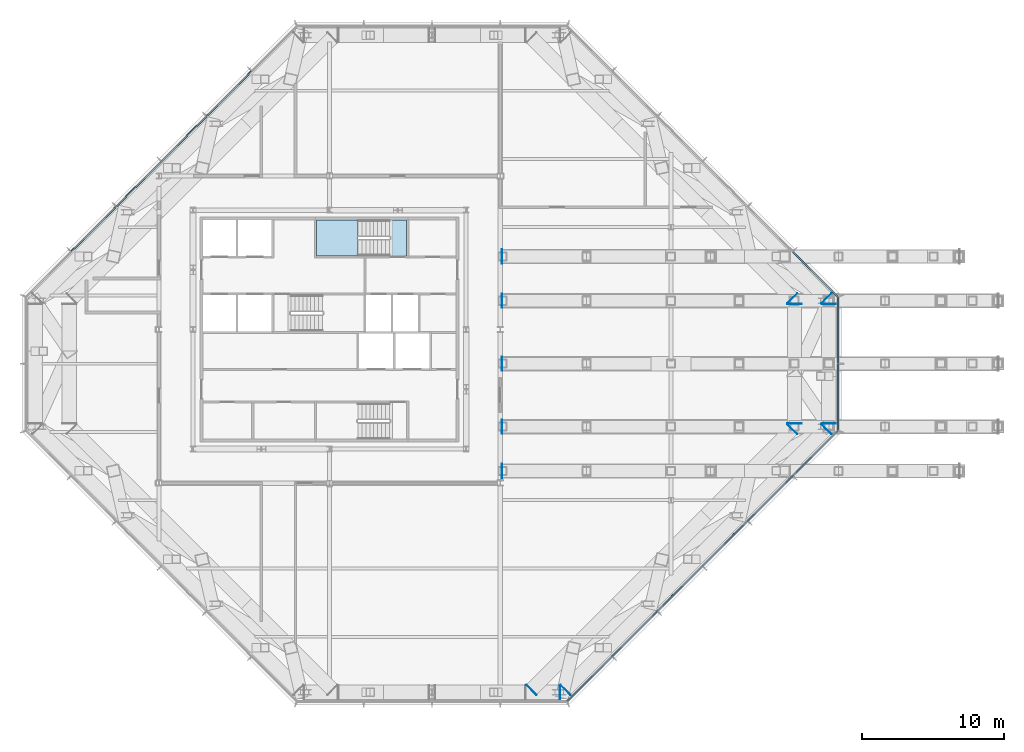
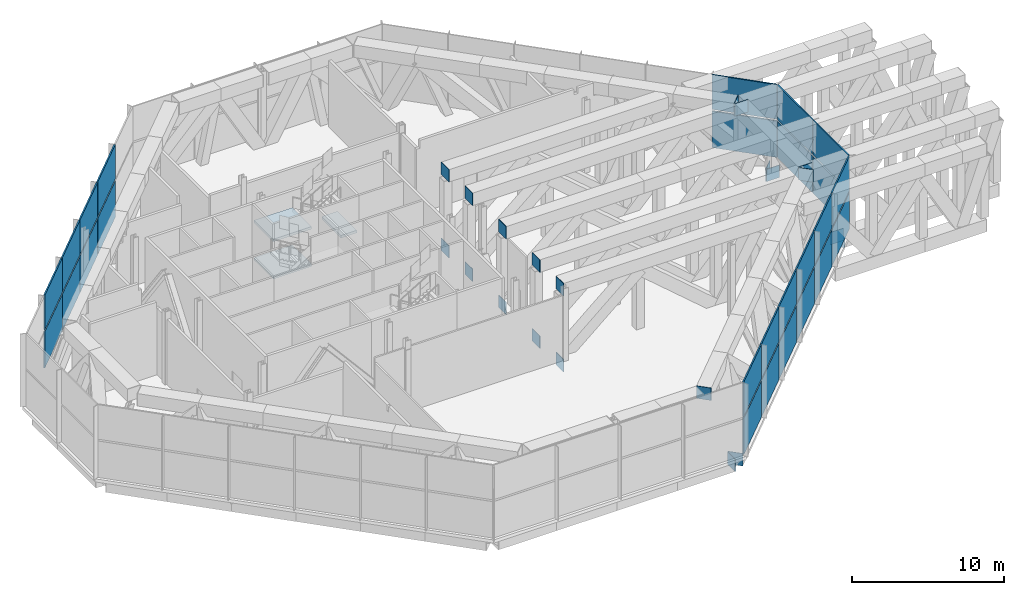
# One storey, part 12 of 18: 47 plates, 3 slabs, 5 elements without a shape of their own.
"""IFC4 building model written with IfcOpenShell, lengths in metres."""

from ifc_helpers import new_model, si_unit, direction, frame, origin, origin_2d, place, context, subcontext, project, spatial, polyline, rectangle, outline, extrude, material, layer, layer_set, material_profile, profile_set, type_object, element, aggregate, save


model = new_model("IFC4")

# Units and contexts
model_context = context("Model", 3, precision=1e-05, world=origin(), true_north=direction((0.0, 1.0)))
body_context = subcontext(model_context, "Body", "Model", "MODEL_VIEW")
ifc_project = project(units=[si_unit("LENGTHUNIT", "METRE"), si_unit("AREAUNIT", "SQUARE_METRE"), si_unit("VOLUMEUNIT", "CUBIC_METRE"), si_unit("PLANEANGLEUNIT", "RADIAN"), si_unit("MASSUNIT", "GRAM", prefix="KILO")], contexts=[model_context])

# Site, building, storey
site_placement = place(None, origin())
site = spatial("IfcSite", under=ifc_project, at=site_placement, CompositionType="ELEMENT")
building_placement = place(site_placement, origin())
building = spatial("IfcBuilding", under=site, at=building_placement, Name="Cairn Pilgrim Tower", CompositionType="ELEMENT")
storey_placement = place(building_placement, frame((0.0, 0.0, 261.0)))
storey = spatial("IfcBuildingStorey", under=building, at=storey_placement, Name="L67", CompositionType="ELEMENT", Elevation=261.0)

# Plates
ifc_material_1 = material(Name="Structural steel S460M", Category="steel")
ifc_material_profile = material_profile(ifc_material_1, rectangle(XDim=1.0, YDim=1.0, at=origin_2d()), Name="END PLATE BOX 1000x1000x60")
ifc_profile_set = profile_set([ifc_material_profile], Name="Structural steel S460M")
plate_type_1 = type_object("IfcPlateType", Name="END PLATE BOX 1000x1000x60", PredefinedType="SHEET", material=ifc_profile_set)
for number, where, z_axis, x_axis, name in (
    (1, (23.3701171875, -23.10009765625, -0.75), (1.0, 0.0, 0.0), (0.0, 1.0, 0.0), "EP-BT67-S-BC4-B"),
    (2, (23.80908203125, -22.918212890625, -0.75), (-0.707106781187, -0.707106781187, 0.0), (0.707106781187, -0.707106781187, 0.0), "EP-BT67-SE-BC1-A"),
    (3, (21.408935546875, -22.918212890625, 5.35009765625), (-0.707106781187, -0.707106781187, 0.0), (0.707106781187, -0.707106781187, 0.0), "EP-BT67-SE-TC1-A"),
):
    element("IfcPlate", number, at=place(storey_placement, frame(where, z_axis=z_axis, x_axis=x_axis)), inside=storey, type_object=plate_type_1, Name=name, PredefinedType="SHEET", context=body_context, shape_type="SweptSolid", body=[
        extrude(rectangle(XDim=1.0, YDim=1.0, at=origin_2d()), origin(), (0.0, 0.0, 1.0), 0.0400390625),
    ])
for number, where, z_axis, x_axis, name in (
    (4, (42.1181640625, -4.60888671875, -0.75), (0.710161195225, 0.704039115956, 0.0), (-0.704039115956, 0.710161195225, 0.0), "EP-BT67-SE-BC6-B"),
    (5, (39.71826171875, -4.60888671875, 5.35009765625), (0.710161195225, 0.704039115956, 0.0), (-0.704039115956, 0.710161195225, 0.0), "EP-BT67-SE-TC6-B"),
):
    element("IfcPlate", number, at=place(storey_placement, frame(where, z_axis=z_axis, x_axis=x_axis)), inside=storey, type_object=plate_type_1, Name=name, PredefinedType="SHEET", context=body_context, shape_type="SweptSolid", body=[
        extrude(rectangle(XDim=1.0, YDim=1.0, at=origin_2d()), origin(), (0.0, 0.0, 1.0), 0.039794921875),
    ])
for number, where, z_axis, x_axis, name in (
    (6, (42.300048828125, -4.170166015625, -0.75), (0.0, -1.0, 0.0), (1.0, 0.0, 0.0), "EP-BT67-E-BC1-A"),
    (7, (39.89990234375, -4.170166015625, 5.35009765625), (0.0, -1.0, 0.0), (1.0, 0.0, 0.0), "EP-BT67-E-TC1-A"),
    (8, (42.300048828125, 4.170166015625, -0.75), (0.0, 1.0, 0.0), (-1.0, 0.0, 0.0), "EP-BT67-E-BC2-B"),
    (9, (39.89990234375, 4.170166015625, 5.35009765625), (0.0, 1.0, 0.0), (-1.0, 0.0, 0.0), "EP-BT67-E-TC2-B"),
):
    element("IfcPlate", number, at=place(storey_placement, frame(where, z_axis=z_axis, x_axis=x_axis)), inside=storey, type_object=plate_type_1, Name=name, PredefinedType="SHEET", context=body_context, shape_type="SweptSolid", body=[
        extrude(rectangle(XDim=1.0, YDim=1.0, at=origin_2d()), origin(), (0.0, 0.0, 1.0), 0.0400390625),
    ])
for number, where, z_axis, x_axis, name in (
    (10, (42.1181640625, 4.60888671875, -0.75), (0.710161195225, -0.704039115956, 0.0), (0.704039115956, 0.710161195225, 0.0), "EP-BT67-NE-BC1-A"),
    (11, (39.71826171875, 4.60888671875, 5.35009765625), (0.710161195225, -0.704039115956, 0.0), (0.704039115956, 0.710161195225, 0.0), "EP-BT67-NE-TC1-A"),
):
    element("IfcPlate", number, at=place(storey_placement, frame(where, z_axis=z_axis, x_axis=x_axis)), inside=storey, type_object=plate_type_1, Name=name, PredefinedType="SHEET", context=body_context, shape_type="SweptSolid", body=[
        extrude(rectangle(XDim=1.0, YDim=1.0, at=origin_2d()), origin(), (0.0, 0.0, 1.0), 0.039794921875),
    ])
for number, where, z_axis, x_axis, name in (
    (12, (19.35009765625, -7.539306640625, -0.75), (-1.0, 0.0, 0.0), (0.0, -1.0, 0.0), "EP-SPS75-BC1-A"),
    (13, (19.35009765625, -7.539306640625, 5.35009765625), (-1.0, 0.0, 0.0), (0.0, -1.0, 0.0), "EP-SPS75-TC1-A"),
    (14, (19.35009765625, -4.42724609375, -0.75), (-1.0, 0.0, 0.0), (0.0, -1.0, 0.0), "EP-SPS-BC1-A"),
    (15, (19.35009765625, -4.42724609375, 5.35009765625), (-1.0, 0.0, 0.0), (0.0, -1.0, 0.0), "EP-SPS-TC1-A"),
    (16, (19.35009765625, 0.0, -0.75), (-1.0, 0.0, 0.0), (0.0, -1.0, 0.0), "EP-SPC-BC1-A"),
    (17, (19.35009765625, 0.0, 5.35009765625), (-1.0, 0.0, 0.0), (0.0, -1.0, 0.0), "EP-SPC-TC1-A"),
    (18, (19.35009765625, 4.42724609375, -0.75), (-1.0, 0.0, 0.0), (0.0, -1.0, 0.0), "EP-SPN-BC1-A"),
    (19, (19.35009765625, 4.42724609375, 5.35009765625), (-1.0, 0.0, 0.0), (0.0, -1.0, 0.0), "EP-SPN-TC1-A"),
    (20, (19.35009765625, 7.539306640625, -0.75), (-1.0, 0.0, 0.0), (0.0, -1.0, 0.0), "EP-SPN75-BC1-A"),
    (21, (19.35009765625, 7.539306640625, 5.35009765625), (-1.0, 0.0, 0.0), (0.0, -1.0, 0.0), "EP-SPN75-TC1-A"),
):
    element("IfcPlate", number, at=place(storey_placement, frame(where, z_axis=z_axis, x_axis=x_axis)), inside=storey, type_object=plate_type_1, Name=name, PredefinedType="SHEET", context=body_context, shape_type="SweptSolid", body=[
        extrude(rectangle(XDim=1.0, YDim=1.0, at=origin_2d()), origin(), (0.0, 0.0, 1.0), 0.0400390625),
    ])

# Curtain wall, plates
ifc_material_2 = material(Name="Aluminium alloy 6063-T6 bronze anodised with Bronze tinted laminated low-E glass 8+16+8.8", Category="aluminium")
curtain_wall_type = type_object("IfcCurtainWallType", Name="PLANT LOUVRE CURTAIN WALL", PredefinedType="NOTDEFINED", material=ifc_material_2)
curtain_wall_1_placement = place(storey_placement, origin())
curtain_wall_1 = element("IfcCurtainWall", 22, at=curtain_wall_1_placement, inside=storey, type_object=curtain_wall_type, Name="Plant Louvre Curtain Wall SE", PredefinedType="NOTDEFINED")
ifc_material_3 = material(Name="Bronze anodised aluminium louvre blades", Category="aluminium")
ifc_layer_1 = layer(ifc_material_3, 0.10009765625)
ifc_layer_set_1 = layer_set([ifc_layer_1], Name="LOUVRE PANEL 4421x2775")
plate_type_2 = type_object("IfcPlateType", Name="LOUVRE PANEL 4421x2775", PredefinedType="CURTAIN_PANEL", material=ifc_layer_set_1)
plate_1_placement = place(storey_placement, frame((25.48779296875, -22.15869140625, 3.074951171875), z_axis=(0.0, 0.0, 1.0), x_axis=(0.707106781187, 0.707106781187, 0.0)))
plate_1 = element("IfcPlate", 23, at=plate_1_placement, type_object=plate_type_2, Name="Louvre Panel SE1-2", PredefinedType="CURTAIN_PANEL", context=body_context, shape_type="SweptSolid", body=[
    extrude(rectangle(XDim=4.4208984375, YDim=0.10009765625, at=origin_2d()), origin(), (0.0, 0.0, 1.0), 2.77490234375),
])
plate_2_placement = place(storey_placement, frame((41.358642578125, -6.287841796875, 3.074951171875), z_axis=(0.0, 0.0, 1.0), x_axis=(0.707106781187, 0.707106781187, 0.0)))
plate_2 = element("IfcPlate", 24, at=plate_2_placement, type_object=plate_type_2, Name="Louvre Panel SE6-2", PredefinedType="CURTAIN_PANEL", context=body_context, shape_type="SweptSolid", body=[
    extrude(rectangle(XDim=4.4208984375, YDim=0.10009765625, at=origin_2d()), origin(), (0.0, 0.0, 1.0), 2.77490234375),
])

# Curtain wall, plate
curtain_wall_2_placement = place(storey_placement, origin())
curtain_wall_2 = element("IfcCurtainWall", 25, at=curtain_wall_2_placement, inside=storey, type_object=curtain_wall_type, Name="Plant Louvre Curtain Wall NE", PredefinedType="NOTDEFINED")
plate_3_placement = place(storey_placement, frame((41.358642578125, 6.287841796875, 3.074951171875), z_axis=(0.0, 0.0, 1.0), x_axis=(-0.707106781187, 0.707106781187, 0.0)))
plate_3 = element("IfcPlate", 26, at=plate_3_placement, type_object=plate_type_2, Name="Louvre Panel NE1-2", PredefinedType="CURTAIN_PANEL", context=body_context, shape_type="SweptSolid", body=[
    extrude(rectangle(XDim=4.4208984375, YDim=0.10009765625, at=origin_2d()), origin(), (0.0, 0.0, 1.0), 2.77490234375),
])

# Plate
ifc_layer_2 = layer(ifc_material_3, 0.10009765625)
ifc_layer_set_2 = layer_set([ifc_layer_2], Name="LOUVRE PANEL 4421x2925")
plate_type_3 = type_object("IfcPlateType", Name="LOUVRE PANEL 4421x2925", PredefinedType="CURTAIN_PANEL", material=ifc_layer_set_2)
plate_4_placement = place(storey_placement, frame((25.48779296875, -22.15869140625, 0.0), z_axis=(0.0, 0.0, 1.0), x_axis=(0.707106781187, 0.707106781187, 0.0)))
plate_4 = element("IfcPlate", 27, at=plate_4_placement, type_object=plate_type_3, Name="Louvre Panel SE1-1", PredefinedType="CURTAIN_PANEL", context=body_context, shape_type="SweptSolid", body=[
    extrude(rectangle(XDim=4.4208984375, YDim=0.10009765625, at=origin_2d()), origin(), (0.0, 0.0, 1.0), 2.925048828125),
])

plate_5_placement = place(storey_placement, frame((41.358642578125, -6.287841796875, 0.0), z_axis=(0.0, 0.0, 1.0), x_axis=(0.707106781187, 0.707106781187, 0.0)))
plate_5 = element("IfcPlate", 28, at=plate_5_placement, type_object=plate_type_3, Name="Louvre Panel SE6-1", PredefinedType="CURTAIN_PANEL", context=body_context, shape_type="SweptSolid", body=[
    extrude(rectangle(XDim=4.4208984375, YDim=0.10009765625, at=origin_2d()), origin(), (0.0, 0.0, 1.0), 2.925048828125),
])

plate_6_placement = place(storey_placement, frame((41.358642578125, 6.287841796875, 0.0), z_axis=(0.0, 0.0, 1.0), x_axis=(-0.707106781187, 0.707106781187, 0.0)))
plate_6 = element("IfcPlate", 29, at=plate_6_placement, type_object=plate_type_3, Name="Louvre Panel NE1-1", PredefinedType="CURTAIN_PANEL", context=body_context, shape_type="SweptSolid", body=[
    extrude(rectangle(XDim=4.4208984375, YDim=0.10009765625, at=origin_2d()), origin(), (0.0, 0.0, 1.0), 2.925048828125),
])

aggregate(curtain_wall_2, [plate_6, plate_3])

ifc_layer_3 = layer(ifc_material_3, 0.10009765625)
ifc_layer_set_3 = layer_set([ifc_layer_3], Name="LOUVRE PANEL 4431x2775")
plate_type_4 = type_object("IfcPlateType", Name="LOUVRE PANEL 4431x2775", PredefinedType="CURTAIN_PANEL", material=ifc_layer_set_3)
plate_7_placement = place(storey_placement, frame((28.659912109375, -18.986572265625, 3.074951171875), z_axis=(0.0, 0.0, 1.0), x_axis=(0.707106781187, 0.707106781187, 0.0)))
plate_7 = element("IfcPlate", 30, at=plate_7_placement, type_object=plate_type_4, Name="Louvre Panel SE2-2", PredefinedType="CURTAIN_PANEL", context=body_context, shape_type="SweptSolid", body=[
    extrude(rectangle(XDim=4.430908203125, YDim=0.10009765625, at=origin_2d()), origin(), (0.0, 0.0, 1.0), 2.77490234375),
])

plate_8_placement = place(storey_placement, frame((31.83544921875, -15.81103515625, 3.074951171875), z_axis=(0.0, 0.0, 1.0), x_axis=(0.707106781187, 0.707106781187, 0.0)))
plate_8 = element("IfcPlate", 31, at=plate_8_placement, type_object=plate_type_4, Name="Louvre Panel SE3-2", PredefinedType="CURTAIN_PANEL", context=body_context, shape_type="SweptSolid", body=[
    extrude(rectangle(XDim=4.430908203125, YDim=0.10009765625, at=origin_2d()), origin(), (0.0, 0.0, 1.0), 2.77490234375),
])

plate_9_placement = place(storey_placement, frame((35.010986328125, -12.635498046875, 3.074951171875), z_axis=(0.0, 0.0, 1.0), x_axis=(0.707106781187, 0.707106781187, 0.0)))
plate_9 = element("IfcPlate", 32, at=plate_9_placement, type_object=plate_type_4, Name="Louvre Panel SE4-2", PredefinedType="CURTAIN_PANEL", context=body_context, shape_type="SweptSolid", body=[
    extrude(rectangle(XDim=4.430908203125, YDim=0.10009765625, at=origin_2d()), origin(), (0.0, 0.0, 1.0), 2.77490234375),
])

plate_10_placement = place(storey_placement, frame((38.1865234375, -9.459716796875, 3.074951171875), z_axis=(0.0, 0.0, 1.0), x_axis=(0.707106781187, 0.707106781187, 0.0)))
plate_10 = element("IfcPlate", 33, at=plate_10_placement, type_object=plate_type_4, Name="Louvre Panel SE5-2", PredefinedType="CURTAIN_PANEL", context=body_context, shape_type="SweptSolid", body=[
    extrude(rectangle(XDim=4.430908203125, YDim=0.10009765625, at=origin_2d()), origin(), (0.0, 0.0, 1.0), 2.77490234375),
])

# Curtain wall, plates
curtain_wall_3_placement = place(storey_placement, origin())
curtain_wall_3 = element("IfcCurtainWall", 34, at=curtain_wall_3_placement, inside=storey, type_object=curtain_wall_type, Name="Plant Louvre Curtain Wall NW", PredefinedType="NOTDEFINED")
plate_11_placement = place(storey_placement, frame((0.14013671875, 18.986572265625, 3.074951171875), z_axis=(0.0, 0.0, 1.0), x_axis=(-0.707106781187, -0.707106781187, 0.0)))
plate_11 = element("IfcPlate", 35, at=plate_11_placement, type_object=plate_type_4, Name="Louvre Panel NW2-2", PredefinedType="CURTAIN_PANEL", context=body_context, shape_type="SweptSolid", body=[
    extrude(rectangle(XDim=4.430908203125, YDim=0.10009765625, at=origin_2d()), origin(), (0.0, 0.0, 1.0), 2.77490234375),
])
plate_12_placement = place(storey_placement, frame((-3.035400390625, 15.81103515625, 3.074951171875), z_axis=(0.0, 0.0, 1.0), x_axis=(-0.707106781187, -0.707106781187, 0.0)))
plate_12 = element("IfcPlate", 36, at=plate_12_placement, type_object=plate_type_4, Name="Louvre Panel NW3-2", PredefinedType="CURTAIN_PANEL", context=body_context, shape_type="SweptSolid", body=[
    extrude(rectangle(XDim=4.430908203125, YDim=0.10009765625, at=origin_2d()), origin(), (0.0, 0.0, 1.0), 2.77490234375),
])
plate_13_placement = place(storey_placement, frame((-6.2109375, 12.635498046875, 3.074951171875), z_axis=(0.0, 0.0, 1.0), x_axis=(-0.707106781187, -0.707106781187, 0.0)))
plate_13 = element("IfcPlate", 37, at=plate_13_placement, type_object=plate_type_4, Name="Louvre Panel NW4-2", PredefinedType="CURTAIN_PANEL", context=body_context, shape_type="SweptSolid", body=[
    extrude(rectangle(XDim=4.430908203125, YDim=0.10009765625, at=origin_2d()), origin(), (0.0, 0.0, 1.0), 2.77490234375),
])
plate_14_placement = place(storey_placement, frame((-9.38671875, 9.459716796875, 3.074951171875), z_axis=(0.0, 0.0, 1.0), x_axis=(-0.707106781187, -0.707106781187, 0.0)))
plate_14 = element("IfcPlate", 38, at=plate_14_placement, type_object=plate_type_4, Name="Louvre Panel NW5-2", PredefinedType="CURTAIN_PANEL", context=body_context, shape_type="SweptSolid", body=[
    extrude(rectangle(XDim=4.430908203125, YDim=0.10009765625, at=origin_2d()), origin(), (0.0, 0.0, 1.0), 2.77490234375),
])

# Plate
ifc_layer_4 = layer(ifc_material_3, 0.10009765625)
ifc_layer_set_4 = layer_set([ifc_layer_4], Name="LOUVRE PANEL 4431x2925")
plate_type_5 = type_object("IfcPlateType", Name="LOUVRE PANEL 4431x2925", PredefinedType="CURTAIN_PANEL", material=ifc_layer_set_4)
plate_15_placement = place(storey_placement, frame((28.659912109375, -18.986572265625, 0.0), z_axis=(0.0, 0.0, 1.0), x_axis=(0.707106781187, 0.707106781187, 0.0)))
plate_15 = element("IfcPlate", 39, at=plate_15_placement, type_object=plate_type_5, Name="Louvre Panel SE2-1", PredefinedType="CURTAIN_PANEL", context=body_context, shape_type="SweptSolid", body=[
    extrude(rectangle(XDim=4.430908203125, YDim=0.10009765625, at=origin_2d()), origin(), (0.0, 0.0, 1.0), 2.925048828125),
])

plate_16_placement = place(storey_placement, frame((31.83544921875, -15.81103515625, 0.0), z_axis=(0.0, 0.0, 1.0), x_axis=(0.707106781187, 0.707106781187, 0.0)))
plate_16 = element("IfcPlate", 40, at=plate_16_placement, type_object=plate_type_5, Name="Louvre Panel SE3-1", PredefinedType="CURTAIN_PANEL", context=body_context, shape_type="SweptSolid", body=[
    extrude(rectangle(XDim=4.430908203125, YDim=0.10009765625, at=origin_2d()), origin(), (0.0, 0.0, 1.0), 2.925048828125),
])

plate_17_placement = place(storey_placement, frame((35.010986328125, -12.635498046875, 0.0), z_axis=(0.0, 0.0, 1.0), x_axis=(0.707106781187, 0.707106781187, 0.0)))
plate_17 = element("IfcPlate", 41, at=plate_17_placement, type_object=plate_type_5, Name="Louvre Panel SE4-1", PredefinedType="CURTAIN_PANEL", context=body_context, shape_type="SweptSolid", body=[
    extrude(rectangle(XDim=4.430908203125, YDim=0.10009765625, at=origin_2d()), origin(), (0.0, 0.0, 1.0), 2.925048828125),
])

plate_18_placement = place(storey_placement, frame((38.1865234375, -9.459716796875, 0.0), z_axis=(0.0, 0.0, 1.0), x_axis=(0.707106781187, 0.707106781187, 0.0)))
plate_18 = element("IfcPlate", 42, at=plate_18_placement, type_object=plate_type_5, Name="Louvre Panel SE5-1", PredefinedType="CURTAIN_PANEL", context=body_context, shape_type="SweptSolid", body=[
    extrude(rectangle(XDim=4.430908203125, YDim=0.10009765625, at=origin_2d()), origin(), (0.0, 0.0, 1.0), 2.925048828125),
])

aggregate(curtain_wall_1, [plate_4, plate_1, plate_15, plate_7, plate_16, plate_8, plate_17, plate_9, plate_18, plate_10, plate_5, plate_2])

plate_19_placement = place(storey_placement, frame((0.14013671875, 18.986572265625, 0.0), z_axis=(0.0, 0.0, 1.0), x_axis=(-0.707106781187, -0.707106781187, 0.0)))
plate_19 = element("IfcPlate", 43, at=plate_19_placement, type_object=plate_type_5, Name="Louvre Panel NW2-1", PredefinedType="CURTAIN_PANEL", context=body_context, shape_type="SweptSolid", body=[
    extrude(rectangle(XDim=4.430908203125, YDim=0.10009765625, at=origin_2d()), origin(), (0.0, 0.0, 1.0), 2.925048828125),
])

plate_20_placement = place(storey_placement, frame((-3.035400390625, 15.81103515625, 0.0), z_axis=(0.0, 0.0, 1.0), x_axis=(-0.707106781187, -0.707106781187, 0.0)))
plate_20 = element("IfcPlate", 44, at=plate_20_placement, type_object=plate_type_5, Name="Louvre Panel NW3-1", PredefinedType="CURTAIN_PANEL", context=body_context, shape_type="SweptSolid", body=[
    extrude(rectangle(XDim=4.430908203125, YDim=0.10009765625, at=origin_2d()), origin(), (0.0, 0.0, 1.0), 2.925048828125),
])

plate_21_placement = place(storey_placement, frame((-6.2109375, 12.635498046875, 0.0), z_axis=(0.0, 0.0, 1.0), x_axis=(-0.707106781187, -0.707106781187, 0.0)))
plate_21 = element("IfcPlate", 45, at=plate_21_placement, type_object=plate_type_5, Name="Louvre Panel NW4-1", PredefinedType="CURTAIN_PANEL", context=body_context, shape_type="SweptSolid", body=[
    extrude(rectangle(XDim=4.430908203125, YDim=0.10009765625, at=origin_2d()), origin(), (0.0, 0.0, 1.0), 2.925048828125),
])

plate_22_placement = place(storey_placement, frame((-9.38671875, 9.459716796875, 0.0), z_axis=(0.0, 0.0, 1.0), x_axis=(-0.707106781187, -0.707106781187, 0.0)))
plate_22 = element("IfcPlate", 46, at=plate_22_placement, type_object=plate_type_5, Name="Louvre Panel NW5-1", PredefinedType="CURTAIN_PANEL", context=body_context, shape_type="SweptSolid", body=[
    extrude(rectangle(XDim=4.430908203125, YDim=0.10009765625, at=origin_2d()), origin(), (0.0, 0.0, 1.0), 2.925048828125),
])

aggregate(curtain_wall_3, [plate_19, plate_11, plate_20, plate_12, plate_21, plate_13, plate_22, plate_14])

# Curtain wall, plates
curtain_wall_4_placement = place(storey_placement, origin())
curtain_wall_4 = element("IfcCurtainWall", 47, at=curtain_wall_4_placement, inside=storey, type_object=curtain_wall_type, Name="Plant Louvre Curtain Wall E", PredefinedType="NOTDEFINED")
ifc_layer_5 = layer(ifc_material_3, 0.10009765625)
ifc_layer_set_5 = layer_set([ifc_layer_5], Name="LOUVRE PANEL 4626x2775")
plate_type_6 = type_object("IfcPlateType", Name="LOUVRE PANEL 4626x2775", PredefinedType="CURTAIN_PANEL", material=ifc_layer_set_5)
plate_23_placement = place(storey_placement, frame((42.949951171875, -2.34326171875, 3.074951171875), z_axis=(0.0, 0.0, 1.0), x_axis=(0.0, 1.0, 0.0)))
plate_23 = element("IfcPlate", 48, at=plate_23_placement, type_object=plate_type_6, Name="Louvre Panel E1-2", PredefinedType="CURTAIN_PANEL", context=body_context, shape_type="SweptSolid", body=[
    extrude(rectangle(XDim=4.62646484375, YDim=0.10009765625, at=origin_2d()), origin(), (0.0, 0.0, 1.0), 2.77490234375),
])
plate_24_placement = place(storey_placement, frame((42.949951171875, 2.34326171875, 3.074951171875), z_axis=(0.0, 0.0, 1.0), x_axis=(0.0, 1.0, 0.0)))
plate_24 = element("IfcPlate", 49, at=plate_24_placement, type_object=plate_type_6, Name="Louvre Panel E2-2", PredefinedType="CURTAIN_PANEL", context=body_context, shape_type="SweptSolid", body=[
    extrude(rectangle(XDim=4.62646484375, YDim=0.10009765625, at=origin_2d()), origin(), (0.0, 0.0, 1.0), 2.77490234375),
])
ifc_layer_6 = layer(ifc_material_3, 0.10009765625)
ifc_layer_set_6 = layer_set([ifc_layer_6], Name="LOUVRE PANEL 4626x2925")
plate_type_7 = type_object("IfcPlateType", Name="LOUVRE PANEL 4626x2925", PredefinedType="CURTAIN_PANEL", material=ifc_layer_set_6)
plate_25_placement = place(storey_placement, frame((42.949951171875, -2.34326171875, 0.0), z_axis=(0.0, 0.0, 1.0), x_axis=(0.0, 1.0, 0.0)))
plate_25 = element("IfcPlate", 50, at=plate_25_placement, type_object=plate_type_7, Name="Louvre Panel E1-1", PredefinedType="CURTAIN_PANEL", context=body_context, shape_type="SweptSolid", body=[
    extrude(rectangle(XDim=4.62646484375, YDim=0.10009765625, at=origin_2d()), origin(), (0.0, 0.0, 1.0), 2.925048828125),
])
plate_26_placement = place(storey_placement, frame((42.949951171875, 2.34326171875, 0.0), z_axis=(0.0, 0.0, 1.0), x_axis=(0.0, 1.0, 0.0)))
plate_26 = element("IfcPlate", 51, at=plate_26_placement, type_object=plate_type_7, Name="Louvre Panel E2-1", PredefinedType="CURTAIN_PANEL", context=body_context, shape_type="SweptSolid", body=[
    extrude(rectangle(XDim=4.62646484375, YDim=0.10009765625, at=origin_2d()), origin(), (0.0, 0.0, 1.0), 2.925048828125),
])
aggregate(curtain_wall_4, [plate_25, plate_23, plate_26, plate_24])

# Stair, slabs
ifc_material_4 = material(Name="Concrete C32/40", Category="concrete")
stair_type = type_object("IfcStairType", Name="EXIT STAIR 1200", PredefinedType="HALF_TURN_STAIR", material=ifc_material_4)
stair_placement = place(storey_placement, origin())
stair = element("IfcStair", 52, at=stair_placement, inside=storey, type_object=stair_type, Name="L67 Exit Stair C", PredefinedType="HALF_TURN_STAIR")
ifc_layer_7 = layer(ifc_material_4, 0.199951171875)
ifc_layer_set_7 = layer_set([ifc_layer_7], Name="STAIR LANDING 200")
slab_type = type_object("IfcSlabType", Name="STAIR LANDING 200", PredefinedType="LANDING", material=ifc_layer_set_7)
slab_1_placement = place(storey_placement, frame((0.0, 0.0, 1.300048828125)))
slab_1 = element("IfcSlab", 53, at=slab_1_placement, type_object=slab_type, Name="ST-C landing 1", PredefinedType="LANDING", context=body_context, shape_type="SweptSolid", body=[
    extrude(outline(polyline([(9.18505859375, 10.10009765625), (6.27490234375, 10.10009765625), (6.27490234375, 7.574951171875), (9.18505859375, 7.574951171875), (9.18505859375, 10.10009765625)])), origin(), (0.0, 0.0, 1.0), 0.199951171875),
])
slab_2_placement = place(storey_placement, frame((0.0, 0.0, 2.800048828125)))
slab_2 = element("IfcSlab", 54, at=slab_2_placement, type_object=slab_type, Name="ST-C landing 2", PredefinedType="LANDING", context=body_context, shape_type="SweptSolid", body=[
    extrude(outline(polyline([(12.625, 10.10009765625), (11.425048828125, 10.10009765625), (11.425048828125, 7.574951171875), (12.625, 7.574951171875), (12.625, 10.10009765625)])), origin(), (0.0, 0.0, 1.0), 0.199951171875),
])
slab_3_placement = place(storey_placement, frame((0.0, 0.0, 4.300048828125)))
slab_3 = element("IfcSlab", 55, at=slab_3_placement, type_object=slab_type, Name="ST-C landing 3", PredefinedType="LANDING", context=body_context, shape_type="SweptSolid", body=[
    extrude(outline(polyline([(9.18505859375, 10.10009765625), (6.27490234375, 10.10009765625), (6.27490234375, 7.574951171875), (9.18505859375, 7.574951171875), (9.18505859375, 10.10009765625)])), origin(), (0.0, 0.0, 1.0), 0.199951171875),
])
aggregate(stair, [slab_1, slab_2, slab_3])

save(model, "model.ifc")
